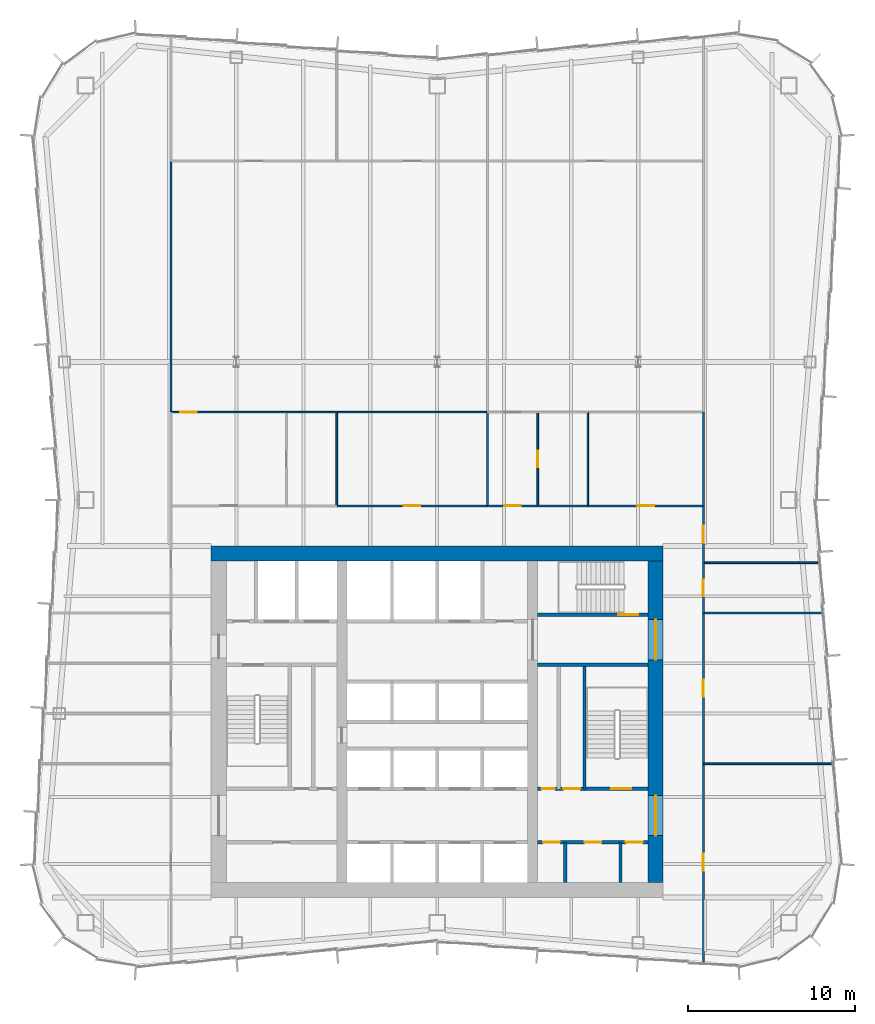
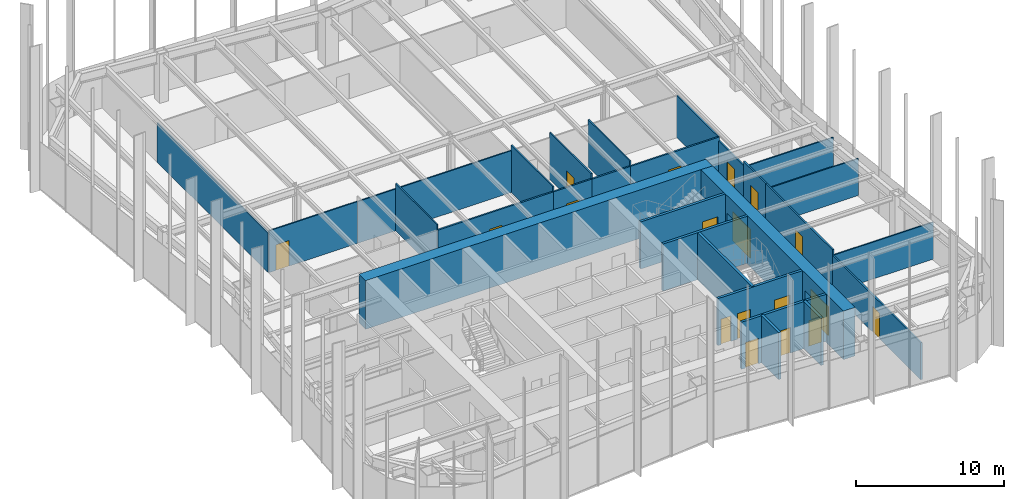
# One storey, part 11 of 13: 29 walls, 18 doors, 18 openings.
"""IFC4 building model written with IfcOpenShell, lengths in metres."""

from ifc_helpers import new_model, si_unit, direction, frame, frame_2d, origin, place, context, subcontext, project, spatial, rectangle, extrude, material, layer, layer_set, type_object, element, fill, save


model = new_model("IFC4")

# Units and contexts
model_context = context("Model", 3, precision=1e-05, world=origin(), true_north=direction((0.0, 1.0)))
body_context = subcontext(model_context, "Body", "Model", "MODEL_VIEW")
ifc_project = project(units=[si_unit("LENGTHUNIT", "METRE"), si_unit("AREAUNIT", "SQUARE_METRE"), si_unit("VOLUMEUNIT", "CUBIC_METRE"), si_unit("PLANEANGLEUNIT", "RADIAN"), si_unit("MASSUNIT", "GRAM", prefix="KILO")], contexts=[model_context])

# Site, building, storey
site_placement = place(None, origin())
site = spatial("IfcSite", under=ifc_project, at=site_placement, CompositionType="ELEMENT")
building_placement = place(site_placement, origin())
building = spatial("IfcBuilding", under=site, at=building_placement, Name="Verdant Reach Tower", CompositionType="ELEMENT")
storey_placement = place(building_placement, frame((0.0, 0.0, 182.0)))
storey = spatial("IfcBuildingStorey", under=building, at=storey_placement, Name="L41", CompositionType="ELEMENT", Elevation=182.0)

# Wall, openings, doors
ifc_material_1 = material(Name="Gypsum board on steel studs", Category="steel")
ifc_layer_1 = layer(ifc_material_1, 0.199951171875)
ifc_layer_set_1 = layer_set([ifc_layer_1], Name="CO-WALL-ROOM")
wall_type_1 = type_object("IfcWallType", Name="CO-WALL-ROOM", PredefinedType="PARTITIONING", material=ifc_layer_set_1)
wall_1_placement = place(storey_placement, frame((6.0, 20.800048828125, 0.0), z_axis=(0.0, 0.0, 1.0), x_axis=(1.0, 0.0, 0.0)))
wall_1 = element("IfcWall", 1, at=wall_1_placement, inside=storey, type_object=wall_type_1, Name="Core partition, L41", PredefinedType="PARTITIONING", context=body_context, shape_type="SweptSolid", body=[
    extrude(rectangle(XDim=6.60009765625, YDim=0.199951171875, at=frame_2d((3.300048828125, 0.0))), origin(), (0.0, 0.0, 1.0), 3.8701171875),
])
opening_1_placement = place(wall_1_placement, frame((0.324951171875, 0.0, 0.0)))
opening_1 = element("IfcOpeningElement", 2, at=opening_1_placement, cuts=wall_1, Name="Opening CD", PredefinedType="OPENING", context=body_context, shape_type="SweptSolid", body=[
    extrude(rectangle(XDim=1.0, YDim=2.10009765625, at=frame_2d((0.5, 1.050048828125))), frame((0.0, 0.10986328125, 0.0), z_axis=(0.0, -1.0, 0.0), x_axis=(1.0, 0.0, 0.0)), (0.0, 0.0, 1.0), 0.219970703125),
])
opening_2_placement = place(wall_1_placement, frame((2.800048828125, 0.0, 0.0)))
opening_2 = element("IfcOpeningElement", 3, at=opening_2_placement, cuts=wall_1, Name="Opening CD", PredefinedType="OPENING", context=body_context, shape_type="SweptSolid", body=[
    extrude(rectangle(XDim=1.0, YDim=2.10009765625, at=frame_2d((0.5, 1.050048828125))), frame((0.0, 0.10986328125, 0.0), z_axis=(0.0, -1.0, 0.0), x_axis=(1.0, 0.0, 0.0)), (0.0, 0.0, 1.0), 0.219970703125),
])
opening_3_placement = place(wall_1_placement, frame((5.27490234375, 0.0, 0.0)))
opening_3 = element("IfcOpeningElement", 4, at=opening_3_placement, cuts=wall_1, Name="Opening CD", PredefinedType="OPENING", context=body_context, shape_type="SweptSolid", body=[
    extrude(rectangle(XDim=1.0, YDim=2.10009765625, at=frame_2d((0.5, 1.050048828125))), frame((0.0, 0.10986328125, 0.0), z_axis=(0.0, -1.0, 0.0), x_axis=(1.0, 0.0, 0.0)), (0.0, 0.0, 1.0), 0.219970703125),
])
ifc_material_2 = material(Name="Timber", Category="wood")
door_type_1 = type_object("IfcDoorType", Name="CO-DOOR-ROOM", OperationType="NOTDEFINED", PredefinedType="DOOR", material=ifc_material_2)
door_1_placement = place(opening_1_placement, origin())
door_1 = element("IfcDoor", 5, at=door_1_placement, inside=storey, type_object=door_type_1, Name="Core room door, L41", OperationType="SINGLE_SWING_LEFT", OverallHeight=2.10009765625, OverallWidth=1.0, PredefinedType="DOOR", context=body_context, shape_type="SweptSolid", body=[
    extrude(rectangle(XDim=1.0, YDim=2.10009765625, at=frame_2d((0.5, 1.050048828125))), frame((0.0, 0.02490234375, 0.0), z_axis=(0.0, -1.0, 0.0), x_axis=(1.0, 0.0, 0.0)), (0.0, 0.0, 1.0), 0.050048828125),
])
fill(opening_1, door_1)
door_2_placement = place(opening_2_placement, origin())
door_2 = element("IfcDoor", 6, at=door_2_placement, inside=storey, type_object=door_type_1, Name="Core room door, L41", OperationType="SINGLE_SWING_LEFT", OverallHeight=2.10009765625, OverallWidth=1.0, PredefinedType="DOOR", context=body_context, shape_type="SweptSolid", body=[
    extrude(rectangle(XDim=1.0, YDim=2.10009765625, at=frame_2d((0.5, 1.050048828125))), frame((0.0, 0.02490234375, 0.0), z_axis=(0.0, -1.0, 0.0), x_axis=(1.0, 0.0, 0.0)), (0.0, 0.0, 1.0), 0.050048828125),
])
fill(opening_2, door_2)
door_3_placement = place(opening_3_placement, origin())
door_3 = element("IfcDoor", 7, at=door_3_placement, inside=storey, type_object=door_type_1, Name="Core room door, L41", OperationType="SINGLE_SWING_LEFT", OverallHeight=2.10009765625, OverallWidth=1.0, PredefinedType="DOOR", context=body_context, shape_type="SweptSolid", body=[
    extrude(rectangle(XDim=1.0, YDim=2.10009765625, at=frame_2d((0.5, 1.050048828125))), frame((0.0, 0.02490234375, 0.0), z_axis=(0.0, -1.0, 0.0), x_axis=(1.0, 0.0, 0.0)), (0.0, 0.0, 1.0), 0.050048828125),
])
fill(opening_3, door_3)

# Walls
for number, where, z_axis, x_axis, name in (
    (8, (7.64990234375, 18.39990234375, 0.0), (0.0, 0.0, 1.0), (0.0, 1.0, 0.0), "Core partition, L41"),
    (9, (10.949951171875, 18.39990234375, 0.0), (0.0, 0.0, 1.0), (0.0, 1.0, 0.0), "Core partition, L41"),
):
    element("IfcWall", number, at=place(storey_placement, frame(where, z_axis=z_axis, x_axis=x_axis)), inside=storey, type_object=wall_type_1, Name=name, PredefinedType="PARTITIONING", context=body_context, shape_type="SweptSolid", body=[
        extrude(rectangle(XDim=2.400146484375, YDim=0.199951171875, at=frame_2d((1.2001953125, 0.0))), origin(), (0.0, 0.0, 1.0), 3.8701171875),
    ])

# Wall, openings, doors
ifc_material_3 = material(Name="Concrete C40/50", Category="concrete")
ifc_layer_2 = layer(ifc_material_3, 0.199951171875)
ifc_layer_set_2 = layer_set([ifc_layer_2], Name="CO-WALL-STAIR")
wall_type_2 = type_object("IfcWallType", Name="CO-WALL-STAIR", PredefinedType="PARTITIONING", material=ifc_layer_set_2)
wall_2_placement = place(storey_placement, frame((6.0, 24.0, 0.0), z_axis=(0.0, 0.0, 1.0), x_axis=(1.0, 0.0, 0.0)))
wall_2 = element("IfcWall", 10, at=wall_2_placement, inside=storey, type_object=wall_type_2, Name="Stair enclosure wall, L41", PredefinedType="PARTITIONING", context=body_context, shape_type="SweptSolid", body=[
    extrude(rectangle(XDim=6.60009765625, YDim=0.199951171875, at=frame_2d((3.300048828125, 0.0))), origin(), (0.0, 0.0, 1.0), 3.8701171875),
])
opening_4_placement = place(wall_2_placement, frame((0.22998046875, 0.0, 0.0)))
opening_4 = element("IfcOpeningElement", 11, at=opening_4_placement, cuts=wall_2, Name="Opening CDN", PredefinedType="OPENING", context=body_context, shape_type="SweptSolid", body=[
    extrude(rectangle(XDim=0.800048828125, YDim=2.10009765625, at=frame_2d((0.39990234375, 1.050048828125))), frame((0.0, 0.10986328125, 0.0), z_axis=(0.0, -1.0, 0.0), x_axis=(1.0, 0.0, 0.0)), (0.0, 0.0, 1.0), 0.219970703125),
])
opening_5_placement = place(wall_2_placement, frame((1.530029296875, 0.0, 0.0)))
opening_5 = element("IfcOpeningElement", 12, at=opening_5_placement, cuts=wall_2, Name="Opening CD", PredefinedType="OPENING", context=body_context, shape_type="SweptSolid", body=[
    extrude(rectangle(XDim=1.0, YDim=2.10009765625, at=frame_2d((0.5, 1.050048828125))), frame((0.0, 0.10986328125, 0.0), z_axis=(0.0, -1.0, 0.0), x_axis=(1.0, 0.0, 0.0)), (0.0, 0.0, 1.0), 0.219970703125),
])
opening_6_placement = place(wall_2_placement, frame((4.39990234375, 0.0, 0.0)))
opening_6 = element("IfcOpeningElement", 13, at=opening_6_placement, cuts=wall_2, Name="Opening SD", PredefinedType="OPENING", context=body_context, shape_type="SweptSolid", body=[
    extrude(rectangle(XDim=1.199951171875, YDim=2.199951171875, at=frame_2d((0.60009765625, 1.10009765625))), frame((0.0, 0.10986328125, 0.0), z_axis=(0.0, -1.0, 0.0), x_axis=(1.0, 0.0, 0.0)), (0.0, 0.0, 1.0), 0.219970703125),
])
door_4_placement = place(opening_5_placement, origin())
door_4 = element("IfcDoor", 14, at=door_4_placement, inside=storey, type_object=door_type_1, Name="Core room door, L41", OperationType="SINGLE_SWING_LEFT", OverallHeight=2.10009765625, OverallWidth=1.0, PredefinedType="DOOR", context=body_context, shape_type="SweptSolid", body=[
    extrude(rectangle(XDim=1.0, YDim=2.10009765625, at=frame_2d((0.5, 1.050048828125))), frame((0.0, 0.02490234375, 0.0), z_axis=(0.0, -1.0, 0.0), x_axis=(1.0, 0.0, 0.0)), (0.0, 0.0, 1.0), 0.050048828125),
])
fill(opening_5, door_4)
door_type_2 = type_object("IfcDoorType", Name="CO-DOOR-ROOM-NARROW", OperationType="NOTDEFINED", PredefinedType="DOOR", material=ifc_material_2)
door_5_placement = place(opening_4_placement, origin())
door_5 = element("IfcDoor", 15, at=door_5_placement, inside=storey, type_object=door_type_2, Name="Core room door, L41", OperationType="SINGLE_SWING_RIGHT", OverallHeight=2.10009765625, OverallWidth=0.800048828125, PredefinedType="DOOR", context=body_context, shape_type="SweptSolid", body=[
    extrude(rectangle(XDim=0.800048828125, YDim=2.10009765625, at=frame_2d((0.39990234375, 1.050048828125))), frame((0.0, 0.02490234375, 0.0), z_axis=(0.0, -1.0, 0.0), x_axis=(1.0, 0.0, 0.0)), (0.0, 0.0, 1.0), 0.050048828125),
])
fill(opening_4, door_5)
ifc_material_4 = material(Name="Steel", Category="steel")
door_type_3 = type_object("IfcDoorType", Name="CO-DOOR-STAIR", OperationType="NOTDEFINED", PredefinedType="DOOR", material=ifc_material_4)
door_6_placement = place(opening_6_placement, origin())
door_6 = element("IfcDoor", 16, at=door_6_placement, inside=storey, type_object=door_type_3, Name="Stair door, L41", OperationType="SINGLE_SWING_LEFT", OverallHeight=2.199951171875, OverallWidth=1.199951171875, PredefinedType="DOOR", context=body_context, shape_type="SweptSolid", body=[
    extrude(rectangle(XDim=1.199951171875, YDim=2.199951171875, at=frame_2d((0.60009765625, 1.10009765625))), frame((0.0, 0.02490234375, 0.0), z_axis=(0.0, -1.0, 0.0), x_axis=(1.0, 0.0, 0.0)), (0.0, 0.0, 1.0), 0.050048828125),
])
fill(opening_6, door_6)

# Wall
wall_3_placement = place(storey_placement, frame((6.0, 31.39990234375, 0.0), z_axis=(0.0, 0.0, 1.0), x_axis=(1.0, 0.0, 0.0)))
element("IfcWall", 17, at=wall_3_placement, inside=storey, type_object=wall_type_2, Name="Stair enclosure wall, L41", PredefinedType="PARTITIONING", context=body_context, shape_type="SweptSolid", body=[
    extrude(rectangle(XDim=6.60009765625, YDim=0.199951171875, at=frame_2d((3.300048828125, 0.0))), origin(), (0.0, 0.0, 1.0), 3.8701171875),
])

# Wall, opening, door
wall_4_placement = place(storey_placement, frame((6.0, 34.39990234375, 0.0), z_axis=(0.0, 0.0, 1.0), x_axis=(1.0, 0.0, 0.0)))
wall_4 = element("IfcWall", 18, at=wall_4_placement, inside=storey, type_object=wall_type_2, Name="Stair enclosure wall, L41", PredefinedType="PARTITIONING", context=body_context, shape_type="SweptSolid", body=[
    extrude(rectangle(XDim=6.60009765625, YDim=0.199951171875, at=frame_2d((3.300048828125, 0.0))), origin(), (0.0, 0.0, 1.0), 3.8701171875),
])
opening_7_placement = place(wall_4_placement, frame((4.800048828125, 0.0, 0.0)))
opening_7 = element("IfcOpeningElement", 19, at=opening_7_placement, cuts=wall_4, Name="Opening SD", PredefinedType="OPENING", context=body_context, shape_type="SweptSolid", body=[
    extrude(rectangle(XDim=1.199951171875, YDim=2.199951171875, at=frame_2d((0.60009765625, 1.10009765625))), frame((0.0, 0.10986328125, 0.0), z_axis=(0.0, -1.0, 0.0), x_axis=(1.0, 0.0, 0.0)), (0.0, 0.0, 1.0), 0.219970703125),
])
door_7_placement = place(opening_7_placement, origin())
door_7 = element("IfcDoor", 20, at=door_7_placement, inside=storey, type_object=door_type_3, Name="Stair door, L41", OperationType="SINGLE_SWING_RIGHT", OverallHeight=2.199951171875, OverallWidth=1.199951171875, PredefinedType="DOOR", context=body_context, shape_type="SweptSolid", body=[
    extrude(rectangle(XDim=1.199951171875, YDim=2.199951171875, at=frame_2d((0.60009765625, 1.10009765625))), frame((0.0, 0.02490234375, 0.0), z_axis=(0.0, -1.0, 0.0), x_axis=(1.0, 0.0, 0.0)), (0.0, 0.0, 1.0), 0.050048828125),
])
fill(opening_7, door_7)

# Wall
wall_5_placement = place(storey_placement, frame((8.800048828125, 24.0, 0.0), z_axis=(0.0, 0.0, 1.0), x_axis=(0.0, 1.0, 0.0)))
element("IfcWall", 21, at=wall_5_placement, inside=storey, type_object=wall_type_2, Name="Stair enclosure wall, L41", PredefinedType="PARTITIONING", context=body_context, shape_type="SweptSolid", body=[
    extrude(rectangle(XDim=7.39990234375, YDim=0.199951171875, at=frame_2d((3.699951171875, 0.0))), origin(), (0.0, 0.0, 1.0), 3.8701171875),
])

# Wall, opening, door
ifc_layer_3 = layer(ifc_material_1, 0.10009765625)
ifc_layer_set_3 = layer_set([ifc_layer_3], Name="FL-W1 Partition 100")
wall_type_3 = type_object("IfcWallType", Name="FL-W1 Partition 100", PredefinedType="PARTITIONING", material=ifc_layer_set_3)
wall_6_placement = place(storey_placement, frame((-15.89990234375, 46.5, 0.0), z_axis=(0.0, 0.0, 1.0), x_axis=(1.0, 0.0, 0.0)))
wall_6 = element("IfcWall", 22, at=wall_6_placement, inside=storey, type_object=wall_type_3, Name="Partition 41.17", PredefinedType="PARTITIONING", context=body_context, shape_type="SweptSolid", body=[
    extrude(rectangle(XDim=6.90380859375, YDim=0.10009765625, at=frame_2d((3.451904296875, 0.0))), origin(), (0.0, 0.0, 1.0), 3.43994140625),
])
opening_8_placement = place(wall_6_placement, frame((0.552001953125, 0.0, 0.0)))
opening_8 = element("IfcOpeningElement", 23, at=opening_8_placement, cuts=wall_6, Name="Opening D3", PredefinedType="OPENING", context=body_context, shape_type="SweptSolid", body=[
    extrude(rectangle(XDim=1.0, YDim=2.10009765625, at=frame_2d((0.5, 1.050048828125))), frame((0.0, 0.06005859375, 0.0), z_axis=(0.0, -1.0, 0.0), x_axis=(1.0, 0.0, 0.0)), (0.0, 0.0, 1.0), 0.1201171875),
])
ifc_material_5 = material(Name="Painted timber door leaf", Category="wood")
door_type_4 = type_object("IfcDoorType", Name="FL-D3 Door 1000x2100", OperationType="NOTDEFINED", PredefinedType="DOOR", material=ifc_material_5)
door_8_placement = place(opening_8_placement, origin())
door_8 = element("IfcDoor", 24, at=door_8_placement, inside=storey, type_object=door_type_4, Name="Door 41-015", OperationType="SINGLE_SWING_LEFT", OverallHeight=2.10009765625, OverallWidth=1.0, PredefinedType="DOOR", context=body_context, shape_type="SweptSolid", body=[
    extrude(rectangle(XDim=1.0, YDim=2.10009765625, at=frame_2d((0.5, 1.050048828125))), frame((0.0, 0.02490234375, 0.0), z_axis=(0.0, -1.0, 0.0), x_axis=(1.0, 0.0, 0.0)), (0.0, 0.0, 1.0), 0.050048828125),
])
fill(opening_8, door_8)

# Walls
wall_7_placement = place(storey_placement, frame((-6.0, 40.89990234375, 0.0), z_axis=(0.0, 0.0, 1.0), x_axis=(0.0, 1.0, 0.0)))
element("IfcWall", 25, at=wall_7_placement, inside=storey, type_object=wall_type_3, Name="Partition 41.19", PredefinedType="PARTITIONING", context=body_context, shape_type="SweptSolid", body=[
    extrude(rectangle(XDim=5.60009765625, YDim=0.10009765625, at=frame_2d((2.800048828125, 0.0))), origin(), (0.0, 0.0, 1.0), 3.8701171875),
])
wall_8_placement = place(storey_placement, frame((-5.99609375, 46.5, 0.0), z_axis=(0.0, 0.0, 1.0), x_axis=(-1.0, 0.0, 0.0)))
element("IfcWall", 26, at=wall_8_placement, inside=storey, type_object=wall_type_3, Name="Partition 41.20", PredefinedType="PARTITIONING", context=body_context, shape_type="SweptSolid", body=[
    extrude(rectangle(XDim=3.0078125, YDim=0.10009765625, at=frame_2d((1.50390625, 0.0))), origin(), (0.0, 0.0, 1.0), 3.43994140625),
])
wall_9_placement = place(storey_placement, frame((3.0, 46.5, 0.0), z_axis=(0.0, 0.0, 1.0), x_axis=(-1.0, 0.0, 0.0)))
element("IfcWall", 27, at=wall_9_placement, inside=storey, type_object=wall_type_3, Name="Partition 41.21", PredefinedType="PARTITIONING", context=body_context, shape_type="SweptSolid", body=[
    extrude(rectangle(XDim=9.00390625, YDim=0.10009765625, at=frame_2d((4.501953125, 0.0))), origin(), (0.0, 0.0, 1.0), 3.43994140625),
])
wall_10_placement = place(storey_placement, frame((3.0, 40.89990234375, 0.0), z_axis=(0.0, 0.0, 1.0), x_axis=(0.0, 1.0, 0.0)))
element("IfcWall", 28, at=wall_10_placement, inside=storey, type_object=wall_type_3, Name="Partition 41.22", PredefinedType="PARTITIONING", context=body_context, shape_type="SweptSolid", body=[
    extrude(rectangle(XDim=5.60009765625, YDim=0.10009765625, at=frame_2d((2.800048828125, 0.0))), origin(), (0.0, 0.0, 1.0), 3.8701171875),
])
wall_11_placement = place(storey_placement, frame((-15.89990234375, 61.50390625, 0.0), z_axis=(0.0, 0.0, 1.0), x_axis=(0.0, -1.0, 0.0)))
element("IfcWall", 29, at=wall_11_placement, inside=storey, type_object=wall_type_3, Name="Partition 41.26", PredefinedType="PARTITIONING", context=body_context, shape_type="SweptSolid", body=[
    extrude(rectangle(XDim=15.0078125, YDim=0.10009765625, at=frame_2d((7.50390625, 0.0))), origin(), (0.0, 0.0, 1.0), 3.239990234375),
])

# Wall, opening, door
wall_12_placement = place(storey_placement, frame((6.0, 46.5, 0.0), z_axis=(0.0, 0.0, 1.0), x_axis=(0.0, -1.0, 0.0)))
wall_12 = element("IfcWall", 30, at=wall_12_placement, inside=storey, type_object=wall_type_3, Name="Partition 41.30", PredefinedType="PARTITIONING", context=body_context, shape_type="SweptSolid", body=[
    extrude(rectangle(XDim=5.60009765625, YDim=0.10009765625, at=frame_2d((2.800048828125, 0.0))), origin(), (0.0, 0.0, 1.0), 3.8701171875),
])
opening_9_placement = place(wall_12_placement, frame((2.300048828125, 0.0, 0.0)))
opening_9 = element("IfcOpeningElement", 31, at=opening_9_placement, cuts=wall_12, Name="Opening D3", PredefinedType="OPENING", context=body_context, shape_type="SweptSolid", body=[
    extrude(rectangle(XDim=1.0, YDim=2.10009765625, at=frame_2d((0.5, 1.050048828125))), frame((0.0, 0.06005859375, 0.0), z_axis=(0.0, -1.0, 0.0), x_axis=(1.0, 0.0, 0.0)), (0.0, 0.0, 1.0), 0.1201171875),
])
door_9_placement = place(opening_9_placement, origin())
door_9 = element("IfcDoor", 32, at=door_9_placement, inside=storey, type_object=door_type_4, Name="Door 41-018", OperationType="SINGLE_SWING_RIGHT", OverallHeight=2.10009765625, OverallWidth=1.0, PredefinedType="DOOR", context=body_context, shape_type="SweptSolid", body=[
    extrude(rectangle(XDim=1.0, YDim=2.10009765625, at=frame_2d((0.5, 1.050048828125))), frame((0.0, 0.02490234375, 0.0), z_axis=(0.0, -1.0, 0.0), x_axis=(1.0, 0.0, 0.0)), (0.0, 0.0, 1.0), 0.050048828125),
])
fill(opening_9, door_9)

# Walls
wall_13_placement = place(storey_placement, frame((9.0, 40.89990234375, 0.0), z_axis=(0.0, 0.0, 1.0), x_axis=(0.0, 1.0, 0.0)))
element("IfcWall", 33, at=wall_13_placement, inside=storey, type_object=wall_type_3, Name="Partition 41.32", PredefinedType="PARTITIONING", context=body_context, shape_type="SweptSolid", body=[
    extrude(rectangle(XDim=5.60009765625, YDim=0.10009765625, at=frame_2d((2.800048828125, 0.0))), origin(), (0.0, 0.0, 1.0), 3.8701171875),
])
wall_14_placement = place(storey_placement, frame((15.89990234375, 40.89599609375, 0.0), z_axis=(0.0, 0.0, 1.0), x_axis=(0.0, 1.0, 0.0)))
element("IfcWall", 34, at=wall_14_placement, inside=storey, type_object=wall_type_3, Name="Partition 41.35", PredefinedType="PARTITIONING", context=body_context, shape_type="SweptSolid", body=[
    extrude(rectangle(XDim=5.60791015625, YDim=0.10009765625, at=frame_2d((2.803955078125, 0.0))), origin(), (0.0, 0.0, 1.0), 3.43994140625),
])
wall_15_placement = place(storey_placement, frame((23.666259765625, 25.5, 0.0), z_axis=(0.0, 0.0, 1.0), x_axis=(-1.0, 0.0, 0.0)))
element("IfcWall", 35, at=wall_15_placement, inside=storey, type_object=wall_type_3, Name="Partition 41.43", PredefinedType="PARTITIONING", context=body_context, shape_type="SweptSolid", body=[
    extrude(rectangle(XDim=7.766357421875, YDim=0.10009765625, at=frame_2d((3.88330078125, 0.0))), origin(), (0.0, 0.0, 1.0), 3.0400390625),
])
wall_16_placement = place(storey_placement, frame((23.04541015625, 34.5, 0.0), z_axis=(0.0, 0.0, 1.0), x_axis=(-1.0, 0.0, 0.0)))
element("IfcWall", 36, at=wall_16_placement, inside=storey, type_object=wall_type_3, Name="Partition 41.44", PredefinedType="PARTITIONING", context=body_context, shape_type="SweptSolid", body=[
    extrude(rectangle(XDim=7.1455078125, YDim=0.10009765625, at=frame_2d((3.57275390625, 0.0))), origin(), (0.0, 0.0, 1.0), 3.0400390625),
])
wall_17_placement = place(storey_placement, frame((22.838623046875, 37.5, 0.0), z_axis=(0.0, 0.0, 1.0), x_axis=(-1.0, 0.0, 0.0)))
element("IfcWall", 37, at=wall_17_placement, inside=storey, type_object=wall_type_3, Name="Partition 41.45", PredefinedType="PARTITIONING", context=body_context, shape_type="SweptSolid", body=[
    extrude(rectangle(XDim=6.938720703125, YDim=0.10009765625, at=frame_2d((3.46923828125, 0.0))), origin(), (0.0, 0.0, 1.0), 3.0400390625),
])

# Wall, opening, door
ifc_material_6 = material(Name="Gypsum board on steel studs, fire rated", Category="steel")
ifc_layer_4 = layer(ifc_material_6, 0.125)
ifc_layer_set_4 = layer_set([ifc_layer_4], Name="FL-W2 Corridor wall 125")
wall_type_4 = type_object("IfcWallType", Name="FL-W2 Corridor wall 125", PredefinedType="PARTITIONING", material=ifc_layer_set_4)
wall_18_placement = place(storey_placement, frame((-6.0, 40.89990234375, 0.0), z_axis=(0.0, 0.0, 1.0), x_axis=(1.0, 0.0, 0.0)))
wall_18 = element("IfcWall", 38, at=wall_18_placement, inside=storey, type_object=wall_type_4, Name="Partition 41.03", PredefinedType="PARTITIONING", context=body_context, shape_type="SweptSolid", body=[
    extrude(rectangle(XDim=9.0, YDim=0.125, at=frame_2d((4.5, 0.0))), origin(), (0.0, 0.0, 1.0), 3.43994140625),
])
opening_10_placement = place(wall_18_placement, frame((4.0, 0.0, 0.0)))
opening_10 = element("IfcOpeningElement", 39, at=opening_10_placement, cuts=wall_18, Name="Opening D2", PredefinedType="OPENING", context=body_context, shape_type="SweptSolid", body=[
    extrude(rectangle(XDim=1.0, YDim=2.10009765625, at=frame_2d((0.5, 1.050048828125))), frame((0.0, 0.072509765625, 0.0), z_axis=(0.0, -1.0, 0.0), x_axis=(1.0, 0.0, 0.0)), (0.0, 0.0, 1.0), 0.14501953125),
])
ifc_material_7 = material(Name="Timber door leaf, fire rated", Category="wood")
door_type_5 = type_object("IfcDoorType", Name="FL-D2 Entrance door 1000x2100 FD30", OperationType="NOTDEFINED", PredefinedType="DOOR", material=ifc_material_7)
door_10_placement = place(opening_10_placement, origin())
door_10 = element("IfcDoor", 40, at=door_10_placement, inside=storey, type_object=door_type_5, Name="Door 41-002", OperationType="SINGLE_SWING_RIGHT", OverallHeight=2.10009765625, OverallWidth=1.0, PredefinedType="DOOR", context=body_context, shape_type="SweptSolid", body=[
    extrude(rectangle(XDim=1.0, YDim=2.10009765625, at=frame_2d((0.5, 1.050048828125))), frame((0.0, 0.02490234375, 0.0), z_axis=(0.0, -1.0, 0.0), x_axis=(1.0, 0.0, 0.0)), (0.0, 0.0, 1.0), 0.050048828125),
])
fill(opening_10, door_10)

wall_19_placement = place(storey_placement, frame((3.0, 40.89990234375, 0.0), z_axis=(0.0, 0.0, 1.0), x_axis=(1.0, 0.0, 0.0)))
wall_19 = element("IfcWall", 41, at=wall_19_placement, inside=storey, type_object=wall_type_4, Name="Partition 41.04", PredefinedType="PARTITIONING", context=body_context, shape_type="SweptSolid", body=[
    extrude(rectangle(XDim=3.0, YDim=0.125, at=frame_2d((1.5, 0.0))), origin(), (0.0, 0.0, 1.0), 3.43994140625),
])
opening_11_placement = place(wall_19_placement, frame((1.0, 0.0, 0.0)))
opening_11 = element("IfcOpeningElement", 42, at=opening_11_placement, cuts=wall_19, Name="Opening D2", PredefinedType="OPENING", context=body_context, shape_type="SweptSolid", body=[
    extrude(rectangle(XDim=1.0, YDim=2.10009765625, at=frame_2d((0.5, 1.050048828125))), frame((0.0, 0.072509765625, 0.0), z_axis=(0.0, -1.0, 0.0), x_axis=(1.0, 0.0, 0.0)), (0.0, 0.0, 1.0), 0.14501953125),
])
door_11_placement = place(opening_11_placement, origin())
door_11 = element("IfcDoor", 43, at=door_11_placement, inside=storey, type_object=door_type_5, Name="Door 41-003", OperationType="SINGLE_SWING_LEFT", OverallHeight=2.10009765625, OverallWidth=1.0, PredefinedType="DOOR", context=body_context, shape_type="SweptSolid", body=[
    extrude(rectangle(XDim=1.0, YDim=2.10009765625, at=frame_2d((0.5, 1.050048828125))), frame((0.0, 0.02490234375, 0.0), z_axis=(0.0, -1.0, 0.0), x_axis=(1.0, 0.0, 0.0)), (0.0, 0.0, 1.0), 0.050048828125),
])
fill(opening_11, door_11)

# Wall
wall_20_placement = place(storey_placement, frame((9.0, 40.89990234375, 0.0), z_axis=(0.0, 0.0, 1.0), x_axis=(-1.0, 0.0, 0.0)))
element("IfcWall", 44, at=wall_20_placement, inside=storey, type_object=wall_type_4, Name="Partition 41.05", PredefinedType="PARTITIONING", context=body_context, shape_type="SweptSolid", body=[
    extrude(rectangle(XDim=3.0, YDim=0.125, at=frame_2d((1.5, 0.0))), origin(), (0.0, 0.0, 1.0), 3.43994140625),
])

# Wall, opening, door
wall_21_placement = place(storey_placement, frame((9.0, 40.89990234375, 0.0), z_axis=(0.0, 0.0, 1.0), x_axis=(1.0, 0.0, 0.0)))
wall_21 = element("IfcWall", 45, at=wall_21_placement, inside=storey, type_object=wall_type_4, Name="Partition 41.06", PredefinedType="PARTITIONING", context=body_context, shape_type="SweptSolid", body=[
    extrude(rectangle(XDim=6.89990234375, YDim=0.125, at=frame_2d((3.449951171875, 0.0))), origin(), (0.0, 0.0, 1.0), 3.43994140625),
])
opening_12_placement = place(wall_21_placement, frame((2.949951171875, 0.0, 0.0)))
opening_12 = element("IfcOpeningElement", 46, at=opening_12_placement, cuts=wall_21, Name="Opening D2", PredefinedType="OPENING", context=body_context, shape_type="SweptSolid", body=[
    extrude(rectangle(XDim=1.0, YDim=2.10009765625, at=frame_2d((0.5, 1.050048828125))), frame((0.0, 0.072509765625, 0.0), z_axis=(0.0, -1.0, 0.0), x_axis=(1.0, 0.0, 0.0)), (0.0, 0.0, 1.0), 0.14501953125),
])
door_12_placement = place(opening_12_placement, origin())
door_12 = element("IfcDoor", 47, at=door_12_placement, inside=storey, type_object=door_type_5, Name="Door 41-004", OperationType="SINGLE_SWING_RIGHT", OverallHeight=2.10009765625, OverallWidth=1.0, PredefinedType="DOOR", context=body_context, shape_type="SweptSolid", body=[
    extrude(rectangle(XDim=1.0, YDim=2.10009765625, at=frame_2d((0.5, 1.050048828125))), frame((0.0, 0.02490234375, 0.0), z_axis=(0.0, -1.0, 0.0), x_axis=(1.0, 0.0, 0.0)), (0.0, 0.0, 1.0), 0.050048828125),
])
fill(opening_12, door_12)

wall_22_placement = place(storey_placement, frame((15.89990234375, 25.5, 0.0), z_axis=(0.0, 0.0, 1.0), x_axis=(0.0, -1.0, 0.0)))
wall_22 = element("IfcWall", 48, at=wall_22_placement, inside=storey, type_object=wall_type_4, Name="Partition 41.12", PredefinedType="PARTITIONING", context=body_context, shape_type="SweptSolid", body=[
    extrude(rectangle(XDim=11.905029296875, YDim=0.125, at=frame_2d((5.95263671875, 0.0))), origin(), (0.0, 0.0, 1.0), 3.0400390625),
])
opening_13_placement = place(wall_22_placement, frame((5.387451171875, 0.0, 0.0)))
opening_13 = element("IfcOpeningElement", 49, at=opening_13_placement, cuts=wall_22, Name="Opening D2", PredefinedType="OPENING", context=body_context, shape_type="SweptSolid", body=[
    extrude(rectangle(XDim=1.0, YDim=2.10009765625, at=frame_2d((0.5, 1.050048828125))), frame((0.0, 0.072509765625, 0.0), z_axis=(0.0, -1.0, 0.0), x_axis=(1.0, 0.0, 0.0)), (0.0, 0.0, 1.0), 0.14501953125),
])
door_13_placement = place(opening_13_placement, origin())
door_13 = element("IfcDoor", 50, at=door_13_placement, inside=storey, type_object=door_type_5, Name="Door 41-010", OperationType="SINGLE_SWING_LEFT", OverallHeight=2.10009765625, OverallWidth=1.0, PredefinedType="DOOR", context=body_context, shape_type="SweptSolid", body=[
    extrude(rectangle(XDim=1.0, YDim=2.10009765625, at=frame_2d((0.5, 1.050048828125))), frame((0.0, 0.02490234375, 0.0), z_axis=(0.0, -1.0, 0.0), x_axis=(1.0, 0.0, 0.0)), (0.0, 0.0, 1.0), 0.050048828125),
])
fill(opening_13, door_13)

wall_23_placement = place(storey_placement, frame((15.89990234375, 34.5, 0.0), z_axis=(0.0, 0.0, 1.0), x_axis=(0.0, -1.0, 0.0)))
wall_23 = element("IfcWall", 51, at=wall_23_placement, inside=storey, type_object=wall_type_4, Name="Partition 41.13", PredefinedType="PARTITIONING", context=body_context, shape_type="SweptSolid", body=[
    extrude(rectangle(XDim=9.0, YDim=0.125, at=frame_2d((4.5, 0.0))), origin(), (0.0, 0.0, 1.0), 3.47998046875),
])
opening_14_placement = place(wall_23_placement, frame((4.0, 0.0, 0.0)))
opening_14 = element("IfcOpeningElement", 52, at=opening_14_placement, cuts=wall_23, Name="Opening D2", PredefinedType="OPENING", context=body_context, shape_type="SweptSolid", body=[
    extrude(rectangle(XDim=1.0, YDim=2.10009765625, at=frame_2d((0.5, 1.050048828125))), frame((0.0, 0.072509765625, 0.0), z_axis=(0.0, -1.0, 0.0), x_axis=(1.0, 0.0, 0.0)), (0.0, 0.0, 1.0), 0.14501953125),
])
door_14_placement = place(opening_14_placement, origin())
door_14 = element("IfcDoor", 53, at=door_14_placement, inside=storey, type_object=door_type_5, Name="Door 41-011", OperationType="SINGLE_SWING_LEFT", OverallHeight=2.10009765625, OverallWidth=1.0, PredefinedType="DOOR", context=body_context, shape_type="SweptSolid", body=[
    extrude(rectangle(XDim=1.0, YDim=2.10009765625, at=frame_2d((0.5, 1.050048828125))), frame((0.0, 0.02490234375, 0.0), z_axis=(0.0, -1.0, 0.0), x_axis=(1.0, 0.0, 0.0)), (0.0, 0.0, 1.0), 0.050048828125),
])
fill(opening_14, door_14)

wall_24_placement = place(storey_placement, frame((15.89990234375, 37.5, 0.0), z_axis=(0.0, 0.0, 1.0), x_axis=(0.0, -1.0, 0.0)))
wall_24 = element("IfcWall", 54, at=wall_24_placement, inside=storey, type_object=wall_type_4, Name="Partition 41.14", PredefinedType="PARTITIONING", context=body_context, shape_type="SweptSolid", body=[
    extrude(rectangle(XDim=3.0, YDim=0.125, at=frame_2d((1.5, 0.0))), origin(), (0.0, 0.0, 1.0), 3.47998046875),
])
opening_15_placement = place(wall_24_placement, frame((1.0, 0.0, 0.0)))
opening_15 = element("IfcOpeningElement", 55, at=opening_15_placement, cuts=wall_24, Name="Opening D2", PredefinedType="OPENING", context=body_context, shape_type="SweptSolid", body=[
    extrude(rectangle(XDim=1.0, YDim=2.10009765625, at=frame_2d((0.5, 1.050048828125))), frame((0.0, 0.072509765625, 0.0), z_axis=(0.0, -1.0, 0.0), x_axis=(1.0, 0.0, 0.0)), (0.0, 0.0, 1.0), 0.14501953125),
])
door_15_placement = place(opening_15_placement, origin())
door_15 = element("IfcDoor", 56, at=door_15_placement, inside=storey, type_object=door_type_5, Name="Door 41-012", OperationType="SINGLE_SWING_RIGHT", OverallHeight=2.10009765625, OverallWidth=1.0, PredefinedType="DOOR", context=body_context, shape_type="SweptSolid", body=[
    extrude(rectangle(XDim=1.0, YDim=2.10009765625, at=frame_2d((0.5, 1.050048828125))), frame((0.0, 0.02490234375, 0.0), z_axis=(0.0, -1.0, 0.0), x_axis=(1.0, 0.0, 0.0)), (0.0, 0.0, 1.0), 0.050048828125),
])
fill(opening_15, door_15)

wall_25_placement = place(storey_placement, frame((15.89990234375, 40.904052734375, 0.0), z_axis=(0.0, 0.0, 1.0), x_axis=(0.0, -1.0, 0.0)))
wall_25 = element("IfcWall", 57, at=wall_25_placement, inside=storey, type_object=wall_type_4, Name="Partition 41.15", PredefinedType="PARTITIONING", context=body_context, shape_type="SweptSolid", body=[
    extrude(rectangle(XDim=3.404052734375, YDim=0.125, at=frame_2d((1.7021484375, 0.0))), origin(), (0.0, 0.0, 1.0), 3.139892578125),
])
opening_16_placement = place(wall_25_placement, frame((1.201904296875, 0.0, 0.0)))
opening_16 = element("IfcOpeningElement", 58, at=opening_16_placement, cuts=wall_25, Name="Opening D2", PredefinedType="OPENING", context=body_context, shape_type="SweptSolid", body=[
    extrude(rectangle(XDim=1.0, YDim=2.10009765625, at=frame_2d((0.5, 1.050048828125))), frame((0.0, 0.072509765625, 0.0), z_axis=(0.0, -1.0, 0.0), x_axis=(1.0, 0.0, 0.0)), (0.0, 0.0, 1.0), 0.14501953125),
])
door_16_placement = place(opening_16_placement, origin())
door_16 = element("IfcDoor", 59, at=door_16_placement, inside=storey, type_object=door_type_5, Name="Door 41-013", OperationType="SINGLE_SWING_LEFT", OverallHeight=2.10009765625, OverallWidth=1.0, PredefinedType="DOOR", context=body_context, shape_type="SweptSolid", body=[
    extrude(rectangle(XDim=1.0, YDim=2.10009765625, at=frame_2d((0.5, 1.050048828125))), frame((0.0, 0.02490234375, 0.0), z_axis=(0.0, -1.0, 0.0), x_axis=(1.0, 0.0, 0.0)), (0.0, 0.0, 1.0), 0.050048828125),
])
fill(opening_16, door_16)

# Wall
ifc_material_8 = material(Name="Concrete C70/85", Category="concrete")
ifc_layer_5 = layer(ifc_material_8, 0.89990234375)
ifc_layer_set_5 = layer_set([ifc_layer_5], Name="ST-CORE-WALL-900")
wall_type_5 = type_object("IfcWallType", Name="ST-CORE-WALL-900", PredefinedType="SHEAR", material=ifc_layer_set_5)
wall_26_placement = place(storey_placement, frame((-13.5, 38.050048828125, -0.1298828125), z_axis=(0.0, 0.0, 1.0), x_axis=(1.0, 0.0, 0.0)))
element("IfcWall", 60, at=wall_26_placement, inside=storey, type_object=wall_type_5, Name="Core wall N, L41", PredefinedType="SHEAR", context=body_context, shape_type="SweptSolid", body=[
    extrude(rectangle(XDim=27.0, YDim=0.89990234375, at=frame_2d((13.5, 0.0))), origin(), (0.0, 0.0, 1.0), 4.0),
])

# Wall, openings, doors
wall_27_placement = place(storey_placement, frame((13.050048828125, 18.39990234375, -0.1298828125), z_axis=(0.0, 0.0, 1.0), x_axis=(0.0, 1.0, 0.0)))
wall_27 = element("IfcWall", 61, at=wall_27_placement, inside=storey, type_object=wall_type_5, Name="Core wall E, L41", PredefinedType="SHEAR", context=body_context, shape_type="SweptSolid", body=[
    extrude(rectangle(XDim=19.2001953125, YDim=0.89990234375, at=frame_2d((9.60009765625, 0.0))), origin(), (0.0, 0.0, 1.0), 4.0),
])
opening_17_placement = place(wall_27_placement, frame((2.800048828125, 0.0, 0.1298828125)))
opening_17 = element("IfcOpeningElement", 62, at=opening_17_placement, cuts=wall_27, Name="Opening LB", PredefinedType="OPENING", context=body_context, shape_type="SweptSolid", body=[
    extrude(rectangle(XDim=2.39990234375, YDim=2.39990234375, at=frame_2d((1.199951171875, 1.199951171875))), frame((0.0, 0.4599609375, 0.0), z_axis=(0.0, -1.0, 0.0), x_axis=(1.0, 0.0, 0.0)), (0.0, 0.0, 1.0), 0.919921875),
])
opening_18_placement = place(wall_27_placement, frame((13.300048828125, 0.0, 0.1298828125)))
opening_18 = element("IfcOpeningElement", 63, at=opening_18_placement, cuts=wall_27, Name="Opening LB", PredefinedType="OPENING", context=body_context, shape_type="SweptSolid", body=[
    extrude(rectangle(XDim=2.39990234375, YDim=2.39990234375, at=frame_2d((1.199951171875, 1.199951171875))), frame((0.0, 0.4599609375, 0.0), z_axis=(0.0, -1.0, 0.0), x_axis=(1.0, 0.0, 0.0)), (0.0, 0.0, 1.0), 0.919921875),
])
ifc_material_9 = material(Name="Glass and steel", Category="steel")
door_type_6 = type_object("IfcDoorType", Name="CO-DOOR-LOBBY", OperationType="DOUBLE_DOOR_SINGLE_SWING", PredefinedType="DOOR", material=ifc_material_9)
door_17_placement = place(opening_17_placement, origin())
door_17 = element("IfcDoor", 64, at=door_17_placement, inside=storey, type_object=door_type_6, Name="Core entrance door, L41", OperationType="DOUBLE_DOOR_SINGLE_SWING", OverallHeight=2.39990234375, OverallWidth=2.39990234375, PredefinedType="DOOR", context=body_context, shape_type="SweptSolid", body=[
    extrude(rectangle(XDim=2.39990234375, YDim=2.39990234375, at=frame_2d((1.199951171875, 1.199951171875))), frame((0.0, 0.02490234375, 0.0), z_axis=(0.0, -1.0, 0.0), x_axis=(1.0, 0.0, 0.0)), (0.0, 0.0, 1.0), 0.050048828125),
])
fill(opening_17, door_17)
door_18_placement = place(opening_18_placement, origin())
door_18 = element("IfcDoor", 65, at=door_18_placement, inside=storey, type_object=door_type_6, Name="Core entrance door, L41", OperationType="DOUBLE_DOOR_SINGLE_SWING", OverallHeight=2.39990234375, OverallWidth=2.39990234375, PredefinedType="DOOR", context=body_context, shape_type="SweptSolid", body=[
    extrude(rectangle(XDim=2.39990234375, YDim=2.39990234375, at=frame_2d((1.199951171875, 1.199951171875))), frame((0.0, 0.02490234375, 0.0), z_axis=(0.0, -1.0, 0.0), x_axis=(1.0, 0.0, 0.0)), (0.0, 0.0, 1.0), 0.050048828125),
])
fill(opening_18, door_18)

save(model, "model.ifc")
